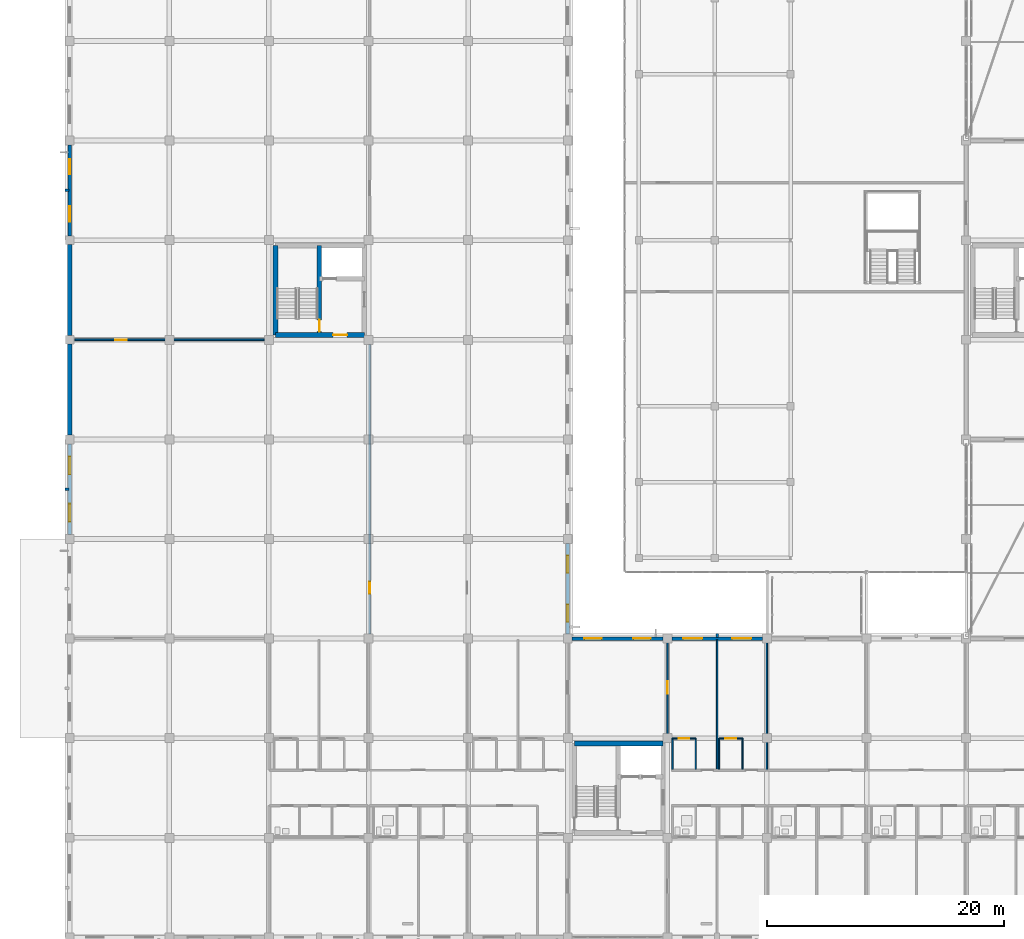
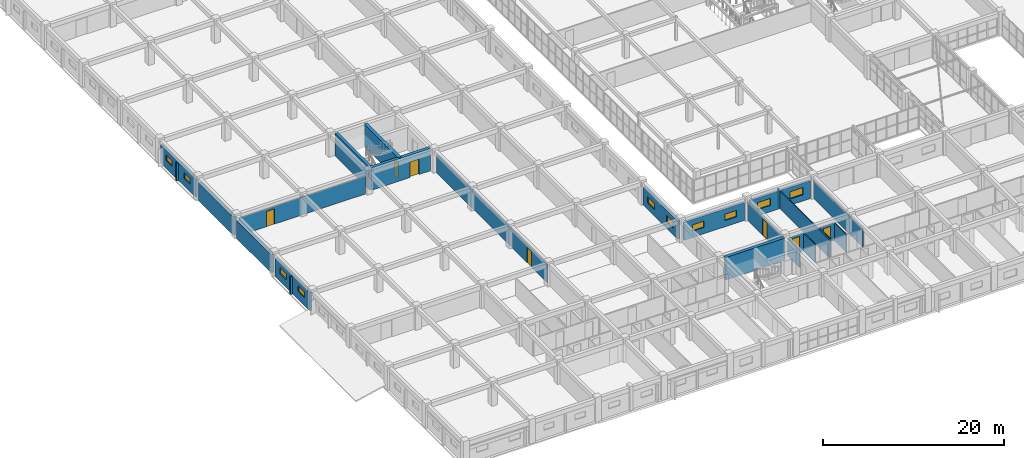
# One storey, part 165 of 200: 25 walls, 10 windows, 7 doors, 17 openings.
"""IFC4 building model written with IfcOpenShell, lengths in metres."""

import ifcopenshell
import ifcopenshell.guid

model = None  # the IFC model being written
_history = None  # IfcOwnerHistory: only IFC2X3 demands one
_inside = {}  # id of a spatial element -> (the spatial element, [elements in it])
_under = {}  # id of a project, library or spatial element -> (it, [spatial elements below it])
_declared = {}  # id of a project -> (the project, [libraries it declares])
_typed = {}  # id of a type object -> (the type object, [elements of that type])
_made_of = {}  # id of a material, layer set ... -> (it, [elements and type objects made of it])


def new_model(schema):
    """Start an empty IFC model of exactly this schema.

    Asked for "IFC4X3", IfcOpenShell would pick the latest addendum, in which some entities
    have other attributes; the version numbers below select the first issue.
    IFC2X3 requires an IfcOwnerHistory on every rooted entity: one is made here for all.
    """
    global model, _history
    if schema == "IFC4X3":
        model = ifcopenshell.file(schema_version=(4, 3, 0, 0))
    else:
        model = ifcopenshell.file(schema=schema)
    _inside.clear()
    _under.clear()
    _declared.clear()
    _typed.clear()
    _made_of.clear()
    _history = None
    if model.schema == "IFC2X3":
        org = make("IfcOrganization", Name="unknown")
        user = make(
            "IfcPersonAndOrganization",
            ThePerson=make("IfcPerson", FamilyName="unknown"),
            TheOrganization=org,
        )
        app = make(
            "IfcApplication",
            ApplicationDeveloper=org,
            Version="unknown",
            ApplicationFullName="unknown",
            ApplicationIdentifier="unknown",
        )
        _history = make(
            "IfcOwnerHistory",
            OwningUser=user,
            OwningApplication=app,
            ChangeAction="ADDED",
            CreationDate=0,
        )
    return model


def make(cls, **values):
    """One entity of the class cls with the attributes given. An attribute that is None is left unset."""
    return model.create_entity(
        cls, **{name: value for name, value in values.items() if value is not None}
    )


def rooted(cls, **values):
    """An entity with a GlobalId (a new one), such as an element, a storey or a relation."""
    return make(cls, GlobalId=ifcopenshell.guid.new(), OwnerHistory=_history, **values)


def si_unit(unit_type, name, prefix=None):
    """IfcSIUnit, for example si_unit("LENGTHUNIT", "METRE", prefix="MILLI")."""
    return make("IfcSIUnit", UnitType=unit_type, Prefix=prefix, Name=name)


def assignment(units):
    """IfcUnitAssignment: the units of a project."""
    return None if units is None else make("IfcUnitAssignment", Units=units)


def point(xyz):
    """IfcCartesianPoint."""
    return None if xyz is None else make("IfcCartesianPoint", Coordinates=xyz)


def direction(xyz):
    """IfcDirection."""
    return None if xyz is None else make("IfcDirection", DirectionRatios=xyz)


def frame(location, z_axis=None, x_axis=None):
    """IfcAxis2Placement3D, a coordinate frame: its origin and axes. An axis left out is left unset."""
    return make(
        "IfcAxis2Placement3D",
        Location=point(location),
        Axis=direction(z_axis),
        RefDirection=direction(x_axis),
    )


def frame_2d(location, x_axis=None):
    """IfcAxis2Placement2D, a coordinate frame in the plane: its origin and x axis."""
    return make(
        "IfcAxis2Placement2D", Location=point(location), RefDirection=direction(x_axis)
    )


def origin():
    """The frame at (0, 0, 0) with its axes left unset."""
    return frame((0.0, 0.0, 0.0))


def place(relative_to, where):
    """IfcLocalPlacement: puts the frame where relative to a parent placement (None: the world)."""
    return make(
        "IfcLocalPlacement", PlacementRelTo=relative_to, RelativePlacement=where
    )


def context(
    kind, dimensions, precision=None, world=None, true_north=None, identifier=None
):
    """IfcGeometricRepresentationContext, for example the 3D "Model" context."""
    return make(
        "IfcGeometricRepresentationContext",
        ContextIdentifier=identifier,
        ContextType=kind,
        CoordinateSpaceDimension=dimensions,
        Precision=precision,
        WorldCoordinateSystem=world,
        TrueNorth=true_north,
    )


def subcontext(parent, identifier, kind, view, scale=None):
    """IfcGeometricRepresentationSubContext, for example "Body" below "Model"."""
    return make(
        "IfcGeometricRepresentationSubContext",
        ContextIdentifier=identifier,
        ContextType=kind,
        ParentContext=parent,
        TargetScale=scale,
        TargetView=view,
    )


def project(units=None, contexts=None):
    """IfcProject with its units and contexts."""
    return rooted(
        "IfcProject",
        Name="project",
        RepresentationContexts=contexts,
        UnitsInContext=assignment(units),
    )


def spatial(cls, under=None, at=None, **own):
    """A site, building, storey or space (cls), placed at a placement, below another one or the project."""
    s = rooted(cls, ObjectPlacement=at, **own)
    if under is not None:
        _under.setdefault(under.id(), (under, []))[1].append(s)
    return s


def profile(cls, at=None, kind="AREA", **sizes):
    """A parametric profile (cls). Its sizes go by their IFC names, for example OverallWidth=200.0."""
    return make(cls, ProfileType=kind, Position=at, **sizes)


def rectangle(**sizes):
    """IfcRectangleProfileDef."""
    return profile("IfcRectangleProfileDef", **sizes)


def extrude(swept, where, along, depth):
    """IfcExtrudedAreaSolid: the profile swept, set in the frame where, extruded along a direction by depth."""
    return make(
        "IfcExtrudedAreaSolid",
        SweptArea=swept,
        Position=where,
        ExtrudedDirection=direction(along),
        Depth=depth,
    )


def shape(context_of_items, identifier, shape_type, items):
    """IfcShapeRepresentation: the items that make up one representation, for example the "Body"."""
    return make(
        "IfcShapeRepresentation",
        ContextOfItems=context_of_items,
        RepresentationIdentifier=identifier,
        RepresentationType=shape_type,
        Items=items,
    )


def material(Name=None, Category=None):
    """IfcMaterial."""
    return make("IfcMaterial", Name=Name, Category=Category)


def layer(
    of_material, thickness, ventilated=None, Name=None, Category=None, Priority=None
):
    """IfcMaterialLayer: one layer of a wall or slab, of a material (None: an air gap)."""
    return make(
        "IfcMaterialLayer",
        Material=of_material,
        LayerThickness=thickness,
        IsVentilated=ventilated,
        Name=Name,
        Category=Category,
        Priority=Priority,
    )


def layer_set(layers, Name=None):
    """IfcMaterialLayerSet."""
    return make("IfcMaterialLayerSet", MaterialLayers=layers, LayerSetName=Name)


def made_of(thing, what):
    """Note that an element or type object is made of a material, layer set ...; save() writes the relation."""
    if what is not None:
        _made_of.setdefault(what.id(), (what, []))[1].append(thing)
    return thing


def type_object(cls, material=None, **own):
    """A type object (cls), such as IfcWallType, which elements share."""
    return made_of(rooted(cls, **own), material)


def element(
    cls,
    number,
    at=None,
    inside=None,
    cuts=None,
    type_object=None,
    material=None,
    context=None,
    identifier="Body",
    shape_type=None,
    held_by="IfcProductDefinitionShape",
    body=None,
    shapes=None,
    **own,
):
    """One element of the class cls, such as IfcWall. Its Tag is "e" and its number.

    at: its placement. inside: the storey or other place that contains it. cuts: it is an
    opening in that element (IfcRelVoidsElement). A single representation is given by context,
    identifier, shape_type and body (its items); several are given by shapes. held_by: the class
    of the entity that holds the representations. save() writes the other relations.
    """
    e = rooted(cls, Tag="e%d" % number, ObjectPlacement=at, **own)
    if body is not None:
        shapes = [shape(context, identifier, shape_type, body)]
    if shapes is not None:
        e.Representation = make(held_by, Representations=shapes)
    if inside is not None:
        _inside.setdefault(inside.id(), (inside, []))[1].append(e)
    if cuts is not None:
        rooted(
            "IfcRelVoidsElement", RelatingBuildingElement=cuts, RelatedOpeningElement=e
        )
    if type_object is not None:
        _typed.setdefault(type_object.id(), (type_object, []))[1].append(e)
    return made_of(e, material)


def fill(opening, filler):
    """IfcRelFillsElement: the door or window that sits in an opening."""
    return rooted(
        "IfcRelFillsElement",
        RelatingOpeningElement=opening,
        RelatedBuildingElement=filler,
    )


def aggregate(whole, parts):
    """IfcRelAggregates: a whole, such as a stair, and the parts it consists of."""
    return rooted("IfcRelAggregates", RelatingObject=whole, RelatedObjects=parts)


def save(model, path):
    """Write the relations noted so far, then the file.

    IfcRelAggregates (storeys below a building ...), IfcRelContainedInSpatialStructure (elements
    in a storey), IfcRelDefinesByType, IfcRelAssociatesMaterial and IfcRelDeclares: one each for
    every whole, place, type object, material and project.
    """
    for whole, parts in _under.values():
        aggregate(whole, parts)
    for where, things in _inside.values():
        rooted(
            "IfcRelContainedInSpatialStructure",
            RelatedElements=things,
            RelatingStructure=where,
        )
    for kind, things in _typed.values():
        rooted("IfcRelDefinesByType", RelatedObjects=things, RelatingType=kind)
    for what, things in _made_of.values():
        rooted("IfcRelAssociatesMaterial", RelatedObjects=things, RelatingMaterial=what)
    for by, libraries in _declared.values():
        rooted("IfcRelDeclares", RelatingContext=by, RelatedDefinitions=libraries)
    model.write(path)


model = new_model("IFC4")

# Units and contexts
model_context = context("Model", 3, precision=1e-05, world=origin(), true_north=direction((0.0, 1.0)))
body_context = subcontext(model_context, "Body", "Model", "MODEL_VIEW")
ifc_project = project(units=[si_unit("LENGTHUNIT", "METRE"), si_unit("AREAUNIT", "SQUARE_METRE"), si_unit("VOLUMEUNIT", "CUBIC_METRE"), si_unit("PLANEANGLEUNIT", "RADIAN"), si_unit("MASSUNIT", "GRAM", prefix="KILO")], contexts=[model_context])

# Site, building, storey
site_placement = place(None, origin())
site = spatial("IfcSite", under=ifc_project, at=site_placement, CompositionType="ELEMENT")
building_placement = place(site_placement, origin())
building = spatial("IfcBuilding", under=site, at=building_placement, Name="Trelvath General Hospital", CompositionType="ELEMENT")
storey_placement = place(building_placement, frame((0.0, 0.0, 4.800048828125)))
storey = spatial("IfcBuildingStorey", under=building, at=storey_placement, Name="L01", CompositionType="ELEMENT", Elevation=4.800048828125)

# Walls
ifc_material_1 = material(Name="Precast concrete C40/50", Category="concrete")
ifc_layer_1 = layer(ifc_material_1, 0.199951171875)
ifc_layer_set_1 = layer_set([ifc_layer_1], Name="Precast concrete C40/50")
wall_type_1 = type_object("IfcWallType", Name="BriseSoleilRib 200", PredefinedType="ELEMENTEDWALL", material=ifc_layer_set_1)
for number, where, z_axis, x_axis, name in (
    (1, (-0.074951171875, 37.800048828125, 0.0), (0.0, 0.0, 1.0), (-1.0, 0.0, 0.0), "Precast Concrete Brise-Soleil Rib Fin L01-76"),
    (2, (-0.074951171875, 63.0, 0.0), (0.0, 0.0, 1.0), (-1.0, 0.0, 0.0), "Precast Concrete Brise-Soleil Rib Fin L01-77"),
    (3, (54.60009765625, 25.27490234375, 0.0), (0.0, 0.0, 1.0), (0.0, 1.0, 0.0), "Precast Concrete Brise-Soleil Rib Fin L01-100"),
):
    element("IfcWall", number, at=place(storey_placement, frame(where, z_axis=z_axis, x_axis=x_axis)), inside=storey, type_object=wall_type_1, Name=name, PredefinedType="ELEMENTEDWALL", context=body_context, shape_type="SweptSolid", body=[
        extrude(rectangle(XDim=0.340087890625, YDim=0.199951171875, at=frame_2d((0.169921875, 0.0))), origin(), (0.0, 0.0, 1.0), 2.39990234375),
    ])

# Wall, opening, door
ifc_material_2 = material(Name="Gypsum acoustic steel-stud partition", Category="steel")
ifc_layer_2 = layer(ifc_material_2, 0.14990234375)
ifc_layer_set_2 = layer_set([ifc_layer_2], Name="Gypsum acoustic steel-stud partition")
wall_type_2 = type_object("IfcWallType", Name="ClinicalPartition 150", PredefinedType="PARTITIONING", material=ifc_layer_set_2)
wall_1_placement = place(storey_placement, frame((25.300048828125, 25.60009765625, 0.0), z_axis=(0.0, 0.0, 1.0), x_axis=(0.0, 1.0, 0.0)))
wall_1 = element("IfcWall", 4, at=wall_1_placement, inside=storey, type_object=wall_type_2, Name="Interstitial Plant Partition L01-663", PredefinedType="PARTITIONING", context=body_context, shape_type="SweptSolid", body=[
    extrude(rectangle(XDim=24.39990234375, YDim=0.14990234375, at=frame_2d((12.199951171875, 0.0))), origin(), (0.0, 0.0, 1.0), 2.39990234375),
])
opening_1_placement = place(wall_1_placement, frame((3.39990234375, 0.0, 0.0)))
opening_1 = element("IfcOpeningElement", 5, at=opening_1_placement, cuts=wall_1, Name="Opening D-1-0613", PredefinedType="OPENING", context=body_context, shape_type="SweptSolid", body=[
    extrude(rectangle(XDim=0.97998046875, YDim=2.050048828125, at=frame_2d((0.489990234375, 1.02490234375))), frame((0.0, 0.0849609375, 0.0), z_axis=(0.0, -1.0, 0.0), x_axis=(1.0, 0.0, 0.0)), (0.0, 0.0, 1.0), 0.169921875),
])
ifc_material_3 = material(Name="Fire-rated steel service door", Category="steel")
door_type_1 = type_object("IfcDoorType", Name="Door Interstitial 980x2050", OperationType="NOTDEFINED", PredefinedType="DOOR", material=ifc_material_3)
door_1_placement = place(opening_1_placement, origin())
door_1 = element("IfcDoor", 6, at=door_1_placement, inside=storey, type_object=door_type_1, Name="Interstitial Plant Door L01-613", OperationType="SINGLE_SWING_LEFT", OverallHeight=2.050048828125, OverallWidth=0.97998046875, PredefinedType="DOOR", context=body_context, shape_type="SweptSolid", body=[
    extrude(rectangle(XDim=0.97998046875, YDim=2.050048828125, at=frame_2d((0.489990234375, 1.02490234375))), frame((0.0, 0.02490234375, 0.0), z_axis=(0.0, -1.0, 0.0), x_axis=(1.0, 0.0, 0.0)), (0.0, 0.0, 1.0), 0.050048828125),
])
fill(opening_1, door_1)

wall_2_placement = place(storey_placement, frame((0.419921875, 50.39990234375, 0.0), z_axis=(0.0, 0.0, 1.0), x_axis=(1.0, 0.0, 0.0)))
wall_2 = element("IfcWall", 7, at=wall_2_placement, inside=storey, type_object=wall_type_2, Name="Cleanroom AHU Partition L01-664", PredefinedType="PARTITIONING", context=body_context, shape_type="SweptSolid", body=[
    extrude(rectangle(XDim=15.9599609375, YDim=0.14990234375, at=frame_2d((7.97998046875, 0.0))), origin(), (0.0, 0.0, 1.0), 2.39990234375),
])
opening_2_placement = place(wall_2_placement, frame((3.39990234375, 0.0, 0.0)))
opening_2 = element("IfcOpeningElement", 8, at=opening_2_placement, cuts=wall_2, Name="Opening D-1-0614", PredefinedType="OPENING", context=body_context, shape_type="SweptSolid", body=[
    extrude(rectangle(XDim=0.97998046875, YDim=2.050048828125, at=frame_2d((0.489990234375, 1.02490234375))), frame((0.0, 0.0849609375, 0.0), z_axis=(0.0, -1.0, 0.0), x_axis=(1.0, 0.0, 0.0)), (0.0, 0.0, 1.0), 0.169921875),
])
door_2_placement = place(opening_2_placement, origin())
door_2 = element("IfcDoor", 9, at=door_2_placement, inside=storey, type_object=door_type_1, Name="Cleanroom AHU Door L01-614", OperationType="SINGLE_SWING_RIGHT", OverallHeight=2.050048828125, OverallWidth=0.97998046875, PredefinedType="DOOR", context=body_context, shape_type="SweptSolid", body=[
    extrude(rectangle(XDim=0.97998046875, YDim=2.050048828125, at=frame_2d((0.489990234375, 1.02490234375))), frame((0.0, 0.02490234375, 0.0), z_axis=(0.0, -1.0, 0.0), x_axis=(1.0, 0.0, 0.0)), (0.0, 0.0, 1.0), 0.050048828125),
])
fill(opening_2, door_2)

# Wall
ifc_material_4 = material(Name="Concrete C40/50", Category="concrete")
ifc_layer_3 = layer(ifc_material_4, 0.39990234375)
ifc_layer_set_3 = layer_set([ifc_layer_3], Name="Concrete C40/50")
wall_type_3 = type_object("IfcWallType", Name="CoreShearWall 400", PredefinedType="SHEAR", material=ifc_layer_set_3)
wall_3_placement = place(storey_placement, frame((42.550048828125, 16.35009765625, 0.0), z_axis=(0.0, 0.0, 1.0), x_axis=(1.0, 0.0, 0.0)))
element("IfcWall", 10, at=wall_3_placement, inside=storey, type_object=wall_type_3, Name="Core Shear Wall C4 N L01", PredefinedType="SHEAR", context=body_context, shape_type="SweptSolid", body=[
    extrude(rectangle(XDim=7.5, YDim=0.39990234375, at=frame_2d((3.75, 0.0))), origin(), (0.0, 0.0, 1.0), 3.02001953125),
])

# Wall, opening, door
wall_4_placement = place(storey_placement, frame((17.35009765625, 50.800048828125, 0.0), z_axis=(0.0, 0.0, 1.0), x_axis=(1.0, 0.0, 0.0)))
wall_4 = element("IfcWall", 11, at=wall_4_placement, inside=storey, type_object=wall_type_3, Name="Core Shear Wall C8 S L01", PredefinedType="SHEAR", context=body_context, shape_type="SweptSolid", body=[
    extrude(rectangle(XDim=7.5, YDim=0.39990234375, at=frame_2d((3.75, 0.0))), origin(), (0.0, 0.0, 1.0), 3.02001953125),
])
opening_3_placement = place(wall_4_placement, frame((4.85009765625, 0.0, 0.0)))
opening_3 = element("IfcOpeningElement", 12, at=opening_3_placement, cuts=wall_4, Name="Opening FD-LS81", PredefinedType="OPENING", context=body_context, shape_type="SweptSolid", body=[
    extrude(rectangle(XDim=1.199951171875, YDim=2.10009765625, at=frame_2d((0.60009765625, 1.050048828125))), frame((0.0, 0.2099609375, 0.0), z_axis=(0.0, -1.0, 0.0), x_axis=(1.0, 0.0, 0.0)), (0.0, 0.0, 1.0), 0.419921875),
])
ifc_material_5 = material(Name="Fire-rated steel door", Category="steel")
door_type_2 = type_object("IfcDoorType", Name="Door FireLobby 1200x2100", OperationType="NOTDEFINED", PredefinedType="DOOR", material=ifc_material_5)
door_3_placement = place(opening_3_placement, origin())
door_3 = element("IfcDoor", 13, at=door_3_placement, inside=storey, type_object=door_type_2, Name="Fire Lobby South Concourse Door C8 L01", OperationType="SINGLE_SWING_RIGHT", OverallHeight=2.10009765625, OverallWidth=1.199951171875, PredefinedType="DOOR", context=body_context, shape_type="SweptSolid", body=[
    extrude(rectangle(XDim=1.199951171875, YDim=2.10009765625, at=frame_2d((0.60009765625, 1.050048828125))), frame((0.0, 0.02490234375, 0.0), z_axis=(0.0, -1.0, 0.0), x_axis=(1.0, 0.0, 0.0)), (0.0, 0.0, 1.0), 0.050048828125),
])
fill(opening_3, door_3)

# Wall
wall_5_placement = place(storey_placement, frame((17.35009765625, 50.800048828125, 0.0), z_axis=(0.0, 0.0, 1.0), x_axis=(0.0, 1.0, 0.0)))
element("IfcWall", 14, at=wall_5_placement, inside=storey, type_object=wall_type_3, Name="Core Shear Wall C8 W L01", PredefinedType="SHEAR", context=body_context, shape_type="SweptSolid", body=[
    extrude(rectangle(XDim=7.550048828125, YDim=0.39990234375, at=frame_2d((3.77490234375, 0.0))), origin(), (0.0, 0.0, 1.0), 3.02001953125),
])

# Wall, opening, door
wall_6_placement = place(storey_placement, frame((21.050048828125, 50.800048828125, 0.0), z_axis=(0.0, 0.0, 1.0), x_axis=(0.0, 1.0, 0.0)))
wall_6 = element("IfcWall", 15, at=wall_6_placement, inside=storey, type_object=wall_type_3, Name="Core Shear Wall C8 SPINE L01", PredefinedType="SHEAR", context=body_context, shape_type="SweptSolid", body=[
    extrude(rectangle(XDim=7.550048828125, YDim=0.39990234375, at=frame_2d((3.77490234375, 0.0))), origin(), (0.0, 0.0, 1.0), 3.02001953125),
])
opening_4_placement = place(wall_6_placement, frame((0.280029296875, 0.0, 0.0)))
opening_4 = element("IfcOpeningElement", 16, at=opening_4_placement, cuts=wall_6, Name="Opening FD-S81", PredefinedType="OPENING", context=body_context, shape_type="SweptSolid", body=[
    extrude(rectangle(XDim=1.0, YDim=2.14990234375, at=frame_2d((0.5, 1.074951171875))), frame((0.0, 0.2099609375, 0.0), z_axis=(0.0, -1.0, 0.0), x_axis=(1.0, 0.0, 0.0)), (0.0, 0.0, 1.0), 0.419921875),
])
ifc_material_6 = material(Name="Fire-rated steel door", Category="steel")
door_type_3 = type_object("IfcDoorType", Name="Door FireStair 1100x2150", OperationType="NOTDEFINED", PredefinedType="DOOR", material=ifc_material_6)
door_4_placement = place(opening_4_placement, origin())
door_4 = element("IfcDoor", 17, at=door_4_placement, inside=storey, type_object=door_type_3, Name="Exit Stair Door ST8 L01", OperationType="SINGLE_SWING_LEFT", OverallHeight=2.14990234375, OverallWidth=1.0, PredefinedType="DOOR", context=body_context, shape_type="SweptSolid", body=[
    extrude(rectangle(XDim=1.0, YDim=2.14990234375, at=frame_2d((0.5, 1.074951171875))), frame((0.0, 0.02490234375, 0.0), z_axis=(0.0, -1.0, 0.0), x_axis=(1.0, 0.0, 0.0)), (0.0, 0.0, 1.0), 0.050048828125),
])
fill(opening_4, door_4)

# Walls
ifc_material_7 = material(Name="Moisture-resistant tile partition")
ifc_layer_4 = layer(ifc_material_7, 0.110107421875)
ifc_layer_set_4 = layer_set([ifc_layer_4], Name="Moisture-resistant tile partition")
wall_type_4 = type_object("IfcWallType", Name="EnSuiteWetWall 110", PredefinedType="PARTITIONING", material=ifc_layer_set_4)
for number, where, z_axis, x_axis, name in (
    (18, (50.820068359375, 14.169921875, 0.0), (0.0, 0.0, 1.0), (0.0, 1.0, 0.0), "En-Suite W Wall N L01-400"),
    (19, (52.800048828125, 14.169921875, 0.0), (0.0, 0.0, 1.0), (0.0, 1.0, 0.0), "En-Suite E Wall N L01-401"),
):
    element("IfcWall", number, at=place(storey_placement, frame(where, z_axis=z_axis, x_axis=x_axis)), inside=storey, type_object=wall_type_4, Name=name, PredefinedType="PARTITIONING", context=body_context, shape_type="SweptSolid", body=[
        extrude(rectangle(XDim=2.610107421875, YDim=0.110107421875, at=frame_2d((1.30517578125, 0.0))), origin(), (0.0, 0.0, 1.0), 2.39990234375),
    ])

# Wall, opening, door
wall_7_placement = place(storey_placement, frame((50.820068359375, 16.780029296875, 0.0), z_axis=(0.0, 0.0, 1.0), x_axis=(1.0, 0.0, 0.0)))
wall_7 = element("IfcWall", 20, at=wall_7_placement, inside=storey, type_object=wall_type_4, Name="En-Suite Bathroom N Partition L01-402", PredefinedType="PARTITIONING", context=body_context, shape_type="SweptSolid", body=[
    extrude(rectangle(XDim=1.97998046875, YDim=0.110107421875, at=frame_2d((0.989990234375, 0.0))), origin(), (0.0, 0.0, 1.0), 2.39990234375),
])
opening_5_placement = place(wall_7_placement, frame((0.5400390625, 0.0, 0.0)))
opening_5 = element("IfcOpeningElement", 21, at=opening_5_placement, cuts=wall_7, Name="Opening D-1-0487", PredefinedType="OPENING", context=body_context, shape_type="SweptSolid", body=[
    extrude(rectangle(XDim=0.89990234375, YDim=2.10009765625, at=frame_2d((0.449951171875, 1.050048828125))), frame((0.0, 0.06494140625, 0.0), z_axis=(0.0, -1.0, 0.0), x_axis=(1.0, 0.0, 0.0)), (0.0, 0.0, 1.0), 0.130126953125),
])
ifc_material_8 = material(Name="Moisture-sealed timber leaf", Category="wood")
door_type_4 = type_object("IfcDoorType", Name="Door EnSuite 900x2100", OperationType="NOTDEFINED", PredefinedType="DOOR", material=ifc_material_8)
door_5_placement = place(opening_5_placement, origin())
door_5 = element("IfcDoor", 22, at=door_5_placement, inside=storey, type_object=door_type_4, Name="En-Suite Bathroom N Door L01-487", OperationType="SINGLE_SWING_LEFT", OverallHeight=2.10009765625, OverallWidth=0.89990234375, PredefinedType="DOOR", context=body_context, shape_type="SweptSolid", body=[
    extrude(rectangle(XDim=0.89990234375, YDim=2.10009765625, at=frame_2d((0.449951171875, 1.050048828125))), frame((0.0, 0.02490234375, 0.0), z_axis=(0.0, -1.0, 0.0), x_axis=(1.0, 0.0, 0.0)), (0.0, 0.0, 1.0), 0.050048828125),
])
fill(opening_5, door_5)

# Walls
for number, where, z_axis, x_axis, name in (
    (23, (54.760009765625, 14.169921875, 0.0), (0.0, 0.0, 1.0), (0.0, 1.0, 0.0), "En-Suite W Wall N L01-403"),
    (24, (56.739990234375, 14.169921875, 0.0), (0.0, 0.0, 1.0), (0.0, 1.0, 0.0), "En-Suite E Wall N L01-404"),
):
    element("IfcWall", number, at=place(storey_placement, frame(where, z_axis=z_axis, x_axis=x_axis)), inside=storey, type_object=wall_type_4, Name=name, PredefinedType="PARTITIONING", context=body_context, shape_type="SweptSolid", body=[
        extrude(rectangle(XDim=2.610107421875, YDim=0.110107421875, at=frame_2d((1.30517578125, 0.0))), origin(), (0.0, 0.0, 1.0), 2.39990234375),
    ])

# Wall, opening, door
wall_8_placement = place(storey_placement, frame((54.760009765625, 16.780029296875, 0.0), z_axis=(0.0, 0.0, 1.0), x_axis=(1.0, 0.0, 0.0)))
wall_8 = element("IfcWall", 25, at=wall_8_placement, inside=storey, type_object=wall_type_4, Name="En-Suite Bathroom N Partition L01-405", PredefinedType="PARTITIONING", context=body_context, shape_type="SweptSolid", body=[
    extrude(rectangle(XDim=1.97998046875, YDim=0.110107421875, at=frame_2d((0.989990234375, 0.0))), origin(), (0.0, 0.0, 1.0), 2.39990234375),
])
opening_6_placement = place(wall_8_placement, frame((0.5400390625, 0.0, 0.0)))
opening_6 = element("IfcOpeningElement", 26, at=opening_6_placement, cuts=wall_8, Name="Opening D-1-0488", PredefinedType="OPENING", context=body_context, shape_type="SweptSolid", body=[
    extrude(rectangle(XDim=0.89990234375, YDim=2.10009765625, at=frame_2d((0.449951171875, 1.050048828125))), frame((0.0, 0.06494140625, 0.0), z_axis=(0.0, -1.0, 0.0), x_axis=(1.0, 0.0, 0.0)), (0.0, 0.0, 1.0), 0.130126953125),
])
door_6_placement = place(opening_6_placement, origin())
door_6 = element("IfcDoor", 27, at=door_6_placement, inside=storey, type_object=door_type_4, Name="En-Suite Bathroom N Door L01-488", OperationType="SINGLE_SWING_RIGHT", OverallHeight=2.10009765625, OverallWidth=0.89990234375, PredefinedType="DOOR", context=body_context, shape_type="SweptSolid", body=[
    extrude(rectangle(XDim=0.89990234375, YDim=2.10009765625, at=frame_2d((0.449951171875, 1.050048828125))), frame((0.0, 0.02490234375, 0.0), z_axis=(0.0, -1.0, 0.0), x_axis=(1.0, 0.0, 0.0)), (0.0, 0.0, 1.0), 0.050048828125),
])
fill(opening_6, door_6)

# Wall, openings, windows
ifc_material_9 = material(Name="Concrete C35/45", Category="concrete")
ifc_layer_5 = layer(ifc_material_9, 0.2900390625)
ifc_layer_set_5 = layer_set([ifc_layer_5], Name="Concrete C35/45")
wall_type_5 = type_object("IfcWallType", Name="ExtBushHammeredWall 290", PredefinedType="SOLIDWALL", material=ifc_layer_set_5)
wall_9_placement = place(storey_placement, frame((0.0, 33.969970703125, 0.0), z_axis=(0.0, 0.0, 1.0), x_axis=(0.0, 1.0, 0.0)))
wall_9 = element("IfcWall", 28, at=wall_9_placement, inside=storey, type_object=wall_type_5, Name="Exterior Concrete Wall L01-113", PredefinedType="SOLIDWALL", context=body_context, shape_type="SweptSolid", body=[
    extrude(rectangle(XDim=7.659912109375, YDim=0.2900390625, at=frame_2d((3.830078125, 0.0))), origin(), (0.0, 0.0, 1.0), 2.419921875),
])
opening_7_placement = place(wall_9_placement, frame((1.08837890625, 0.0, 1.050048828125)))
opening_7 = element("IfcOpeningElement", 29, at=opening_7_placement, cuts=wall_9, Name="Opening WN-1-159", PredefinedType="OPENING", context=body_context, shape_type="SweptSolid", body=[
    extrude(rectangle(XDim=1.5, YDim=0.75, at=frame_2d((0.75, 0.375))), frame((0.0, 0.155029296875, 0.0), z_axis=(0.0, -1.0, 0.0), x_axis=(1.0, 0.0, 0.0)), (0.0, 0.0, 1.0), 0.31005859375),
])
opening_8_placement = place(wall_9_placement, frame((5.071533203125, 0.0, 1.050048828125)))
opening_8 = element("IfcOpeningElement", 30, at=opening_8_placement, cuts=wall_9, Name="Opening WN-1-160", PredefinedType="OPENING", context=body_context, shape_type="SweptSolid", body=[
    extrude(rectangle(XDim=1.5, YDim=0.75, at=frame_2d((0.75, 0.375))), frame((0.0, 0.155029296875, 0.0), z_axis=(0.0, -1.0, 0.0), x_axis=(1.0, 0.0, 0.0)), (0.0, 0.0, 1.0), 0.31005859375),
])
ifc_material_10 = material(Name="Low-E laminated glass", Category="glass")
window_type_1 = type_object("IfcWindowType", Name="Window InterstitialVent 1500x750", PartitioningType="DOUBLE_PANEL_HORIZONTAL", PredefinedType="WINDOW", material=ifc_material_10)
window_1_placement = place(opening_7_placement, origin())
window_1 = element("IfcWindow", 31, at=window_1_placement, inside=storey, type_object=window_type_1, Name="Solar Reveal Window L01-159", OverallHeight=0.75, OverallWidth=1.5, PartitioningType="SINGLE_PANEL", PredefinedType="WINDOW", context=body_context, shape_type="SweptSolid", body=[
    extrude(rectangle(XDim=1.5, YDim=0.75, at=frame_2d((0.75, 0.375))), frame((0.0, 0.030029296875, 0.0), z_axis=(0.0, -1.0, 0.0), x_axis=(1.0, 0.0, 0.0)), (0.0, 0.0, 1.0), 0.06005859375),
])
fill(opening_7, window_1)
window_2_placement = place(opening_8_placement, origin())
window_2 = element("IfcWindow", 32, at=window_2_placement, inside=storey, type_object=window_type_1, Name="Solar Reveal Window L01-160", OverallHeight=0.75, OverallWidth=1.5, PartitioningType="SINGLE_PANEL", PredefinedType="WINDOW", context=body_context, shape_type="SweptSolid", body=[
    extrude(rectangle(XDim=1.5, YDim=0.75, at=frame_2d((0.75, 0.375))), frame((0.0, 0.030029296875, 0.0), z_axis=(0.0, -1.0, 0.0), x_axis=(1.0, 0.0, 0.0)), (0.0, 0.0, 1.0), 0.06005859375),
])
fill(opening_8, window_2)

wall_10_placement = place(storey_placement, frame((0.0, 59.169921875, 0.0), z_axis=(0.0, 0.0, 1.0), x_axis=(0.0, 1.0, 0.0)))
wall_10 = element("IfcWall", 33, at=wall_10_placement, inside=storey, type_object=wall_type_5, Name="Exterior Concrete Wall L01-116", PredefinedType="SOLIDWALL", context=body_context, shape_type="SweptSolid", body=[
    extrude(rectangle(XDim=7.66015625, YDim=0.2900390625, at=frame_2d((3.830078125, 0.0))), origin(), (0.0, 0.0, 1.0), 2.419921875),
])
opening_9_placement = place(wall_10_placement, frame((1.1884765625, 0.0, 1.050048828125)))
opening_9 = element("IfcOpeningElement", 34, at=opening_9_placement, cuts=wall_10, Name="Opening WN-1-161", PredefinedType="OPENING", context=body_context, shape_type="SweptSolid", body=[
    extrude(rectangle(XDim=1.300048828125, YDim=0.75, at=frame_2d((0.64990234375, 0.375))), frame((0.0, 0.155029296875, 0.0), z_axis=(0.0, -1.0, 0.0), x_axis=(1.0, 0.0, 0.0)), (0.0, 0.0, 1.0), 0.31005859375),
])
opening_10_placement = place(wall_10_placement, frame((5.171630859375, 0.0, 1.050048828125)))
opening_10 = element("IfcOpeningElement", 35, at=opening_10_placement, cuts=wall_10, Name="Opening WN-1-162", PredefinedType="OPENING", context=body_context, shape_type="SweptSolid", body=[
    extrude(rectangle(XDim=1.300048828125, YDim=0.75, at=frame_2d((0.64990234375, 0.375))), frame((0.0, 0.155029296875, 0.0), z_axis=(0.0, -1.0, 0.0), x_axis=(1.0, 0.0, 0.0)), (0.0, 0.0, 1.0), 0.31005859375),
])
ifc_material_11 = material(Name="Low-E laminated glass", Category="glass")
window_type_2 = type_object("IfcWindowType", Name="Window InterstitialVent 1300x750", PartitioningType="DOUBLE_PANEL_HORIZONTAL", PredefinedType="WINDOW", material=ifc_material_11)
window_3_placement = place(opening_9_placement, origin())
window_3 = element("IfcWindow", 36, at=window_3_placement, inside=storey, type_object=window_type_2, Name="Solar Reveal Window L01-161", OverallHeight=0.75, OverallWidth=1.300048828125, PartitioningType="SINGLE_PANEL", PredefinedType="WINDOW", context=body_context, shape_type="SweptSolid", body=[
    extrude(rectangle(XDim=1.300048828125, YDim=0.75, at=frame_2d((0.64990234375, 0.375))), frame((0.0, 0.030029296875, 0.0), z_axis=(0.0, -1.0, 0.0), x_axis=(1.0, 0.0, 0.0)), (0.0, 0.0, 1.0), 0.06005859375),
])
fill(opening_9, window_3)
window_4_placement = place(opening_10_placement, origin())
window_4 = element("IfcWindow", 37, at=window_4_placement, inside=storey, type_object=window_type_2, Name="Solar Reveal Window L01-162", OverallHeight=0.75, OverallWidth=1.300048828125, PartitioningType="SINGLE_PANEL", PredefinedType="WINDOW", context=body_context, shape_type="SweptSolid", body=[
    extrude(rectangle(XDim=1.300048828125, YDim=0.75, at=frame_2d((0.64990234375, 0.375))), frame((0.0, 0.030029296875, 0.0), z_axis=(0.0, -1.0, 0.0), x_axis=(1.0, 0.0, 0.0)), (0.0, 0.0, 1.0), 0.06005859375),
])
fill(opening_10, window_4)

wall_11_placement = place(storey_placement, frame((42.0, 33.22998046875, 0.0), z_axis=(0.0, 0.0, 1.0), x_axis=(0.0, -1.0, 0.0)))
wall_11 = element("IfcWall", 38, at=wall_11_placement, inside=storey, type_object=wall_type_5, Name="Exterior Concrete Wall L01-131", PredefinedType="SOLIDWALL", context=body_context, shape_type="SweptSolid", body=[
    extrude(rectangle(XDim=7.659912109375, YDim=0.2900390625, at=frame_2d((3.830078125, 0.0))), origin(), (0.0, 0.0, 1.0), 2.419921875),
])
opening_11_placement = place(wall_11_placement, frame((1.03173828125, 0.0, 0.85009765625)))
opening_11 = element("IfcOpeningElement", 39, at=opening_11_placement, cuts=wall_11, Name="Opening WN-1-191", PredefinedType="OPENING", context=body_context, shape_type="SweptSolid", body=[
    extrude(rectangle(XDim=1.4599609375, YDim=0.85009765625, at=frame_2d((0.72998046875, 0.425048828125))), frame((0.0, 0.155029296875, 0.0), z_axis=(0.0, -1.0, 0.0), x_axis=(1.0, 0.0, 0.0)), (0.0, 0.0, 1.0), 0.31005859375),
])
opening_12_placement = place(wall_11_placement, frame((5.168212890625, 0.0, 0.85009765625)))
opening_12 = element("IfcOpeningElement", 40, at=opening_12_placement, cuts=wall_11, Name="Opening WN-1-192", PredefinedType="OPENING", context=body_context, shape_type="SweptSolid", body=[
    extrude(rectangle(XDim=1.4599609375, YDim=0.85009765625, at=frame_2d((0.72998046875, 0.425048828125))), frame((0.0, 0.155029296875, 0.0), z_axis=(0.0, -1.0, 0.0), x_axis=(1.0, 0.0, 0.0)), (0.0, 0.0, 1.0), 0.31005859375),
])
ifc_material_12 = material(Name="Low-E laminated glass", Category="glass")
window_type_3 = type_object("IfcWindowType", Name="Window ImagingClere 1460x850", PartitioningType="DOUBLE_PANEL_VERTICAL", PredefinedType="WINDOW", material=ifc_material_12)
window_5_placement = place(opening_11_placement, origin())
window_5 = element("IfcWindow", 41, at=window_5_placement, inside=storey, type_object=window_type_3, Name="Solar Reveal Window L01-191", OverallHeight=0.85009765625, OverallWidth=1.4599609375, PartitioningType="SINGLE_PANEL", PredefinedType="WINDOW", context=body_context, shape_type="SweptSolid", body=[
    extrude(rectangle(XDim=1.4599609375, YDim=0.85009765625, at=frame_2d((0.72998046875, 0.425048828125))), frame((0.0, 0.030029296875, 0.0), z_axis=(0.0, -1.0, 0.0), x_axis=(1.0, 0.0, 0.0)), (0.0, 0.0, 1.0), 0.06005859375),
])
fill(opening_11, window_5)
window_6_placement = place(opening_12_placement, origin())
window_6 = element("IfcWindow", 42, at=window_6_placement, inside=storey, type_object=window_type_3, Name="Solar Reveal Window L01-192", OverallHeight=0.85009765625, OverallWidth=1.4599609375, PartitioningType="SINGLE_PANEL", PredefinedType="WINDOW", context=body_context, shape_type="SweptSolid", body=[
    extrude(rectangle(XDim=1.4599609375, YDim=0.85009765625, at=frame_2d((0.72998046875, 0.425048828125))), frame((0.0, 0.030029296875, 0.0), z_axis=(0.0, -1.0, 0.0), x_axis=(1.0, 0.0, 0.0)), (0.0, 0.0, 1.0), 0.06005859375),
])
fill(opening_12, window_6)

wall_12_placement = place(storey_placement, frame((42.3701171875, 25.199951171875, 0.0), z_axis=(0.0, 0.0, 1.0), x_axis=(1.0, 0.0, 0.0)))
wall_12 = element("IfcWall", 43, at=wall_12_placement, inside=storey, type_object=wall_type_5, Name="Exterior Concrete Wall L01-140", PredefinedType="SOLIDWALL", context=body_context, shape_type="SweptSolid", body=[
    extrude(rectangle(XDim=7.659912109375, YDim=0.2900390625, at=frame_2d((3.830078125, 0.0))), origin(), (0.0, 0.0, 1.0), 2.419921875),
])
opening_13_placement = place(wall_12_placement, frame((1.03173828125, 0.0, 0.85009765625)))
opening_13 = element("IfcOpeningElement", 44, at=opening_13_placement, cuts=wall_12, Name="Opening WN-1-209", PredefinedType="OPENING", context=body_context, shape_type="SweptSolid", body=[
    extrude(rectangle(XDim=1.4599609375, YDim=0.85009765625, at=frame_2d((0.72998046875, 0.425048828125))), frame((0.0, 0.155029296875, 0.0), z_axis=(0.0, -1.0, 0.0), x_axis=(1.0, 0.0, 0.0)), (0.0, 0.0, 1.0), 0.31005859375),
])
opening_14_placement = place(wall_12_placement, frame((5.168212890625, 0.0, 0.85009765625)))
opening_14 = element("IfcOpeningElement", 45, at=opening_14_placement, cuts=wall_12, Name="Opening WN-1-210", PredefinedType="OPENING", context=body_context, shape_type="SweptSolid", body=[
    extrude(rectangle(XDim=1.4599609375, YDim=0.85009765625, at=frame_2d((0.72998046875, 0.425048828125))), frame((0.0, 0.155029296875, 0.0), z_axis=(0.0, -1.0, 0.0), x_axis=(1.0, 0.0, 0.0)), (0.0, 0.0, 1.0), 0.31005859375),
])
window_7_placement = place(opening_13_placement, origin())
window_7 = element("IfcWindow", 46, at=window_7_placement, inside=storey, type_object=window_type_3, Name="Solar Reveal Window L01-209", OverallHeight=0.85009765625, OverallWidth=1.4599609375, PartitioningType="SINGLE_PANEL", PredefinedType="WINDOW", context=body_context, shape_type="SweptSolid", body=[
    extrude(rectangle(XDim=1.4599609375, YDim=0.85009765625, at=frame_2d((0.72998046875, 0.425048828125))), frame((0.0, 0.030029296875, 0.0), z_axis=(0.0, -1.0, 0.0), x_axis=(1.0, 0.0, 0.0)), (0.0, 0.0, 1.0), 0.06005859375),
])
fill(opening_13, window_7)
window_8_placement = place(opening_14_placement, origin())
window_8 = element("IfcWindow", 47, at=window_8_placement, inside=storey, type_object=window_type_3, Name="Solar Reveal Window L01-210", OverallHeight=0.85009765625, OverallWidth=1.4599609375, PartitioningType="SINGLE_PANEL", PredefinedType="WINDOW", context=body_context, shape_type="SweptSolid", body=[
    extrude(rectangle(XDim=1.4599609375, YDim=0.85009765625, at=frame_2d((0.72998046875, 0.425048828125))), frame((0.0, 0.030029296875, 0.0), z_axis=(0.0, -1.0, 0.0), x_axis=(1.0, 0.0, 0.0)), (0.0, 0.0, 1.0), 0.06005859375),
])
fill(opening_14, window_8)

wall_13_placement = place(storey_placement, frame((50.77001953125, 25.199951171875, 0.0), z_axis=(0.0, 0.0, 1.0), x_axis=(1.0, 0.0, 0.0)))
wall_13 = element("IfcWall", 48, at=wall_13_placement, inside=storey, type_object=wall_type_5, Name="Exterior Concrete Wall L01-143", PredefinedType="SOLIDWALL", context=body_context, shape_type="SweptSolid", body=[
    extrude(rectangle(XDim=7.659912109375, YDim=0.2900390625, at=frame_2d((3.830078125, 0.0))), origin(), (0.0, 0.0, 1.0), 2.419921875),
])
opening_15_placement = place(wall_13_placement, frame((0.951904296875, 0.0, 0.85009765625)))
opening_15 = element("IfcOpeningElement", 49, at=opening_15_placement, cuts=wall_13, Name="Opening WN-1-215", PredefinedType="OPENING", context=body_context, shape_type="SweptSolid", body=[
    extrude(rectangle(XDim=1.6201171875, YDim=0.949951171875, at=frame_2d((0.81005859375, 0.47509765625))), frame((0.0, 0.155029296875, 0.0), z_axis=(0.0, -1.0, 0.0), x_axis=(1.0, 0.0, 0.0)), (0.0, 0.0, 1.0), 0.31005859375),
])
opening_16_placement = place(wall_13_placement, frame((5.088134765625, 0.0, 0.85009765625)))
opening_16 = element("IfcOpeningElement", 50, at=opening_16_placement, cuts=wall_13, Name="Opening WN-1-216", PredefinedType="OPENING", context=body_context, shape_type="SweptSolid", body=[
    extrude(rectangle(XDim=1.6201171875, YDim=0.949951171875, at=frame_2d((0.81005859375, 0.47509765625))), frame((0.0, 0.155029296875, 0.0), z_axis=(0.0, -1.0, 0.0), x_axis=(1.0, 0.0, 0.0)), (0.0, 0.0, 1.0), 0.31005859375),
])
ifc_material_13 = material(Name="Low-E laminated glass", Category="glass")
window_type_4 = type_object("IfcWindowType", Name="Window EmergencyClere 1620x950", PartitioningType="DOUBLE_PANEL_VERTICAL", PredefinedType="WINDOW", material=ifc_material_13)
window_9_placement = place(opening_15_placement, origin())
window_9 = element("IfcWindow", 51, at=window_9_placement, inside=storey, type_object=window_type_4, Name="Solar Reveal Window L01-215", OverallHeight=0.949951171875, OverallWidth=1.6201171875, PartitioningType="SINGLE_PANEL", PredefinedType="WINDOW", context=body_context, shape_type="SweptSolid", body=[
    extrude(rectangle(XDim=1.6201171875, YDim=0.949951171875, at=frame_2d((0.81005859375, 0.47509765625))), frame((0.0, 0.030029296875, 0.0), z_axis=(0.0, -1.0, 0.0), x_axis=(1.0, 0.0, 0.0)), (0.0, 0.0, 1.0), 0.06005859375),
])
fill(opening_15, window_9)
window_10_placement = place(opening_16_placement, origin())
window_10 = element("IfcWindow", 52, at=window_10_placement, inside=storey, type_object=window_type_4, Name="Solar Reveal Window L01-216", OverallHeight=0.949951171875, OverallWidth=1.6201171875, PartitioningType="SINGLE_PANEL", PredefinedType="WINDOW", context=body_context, shape_type="SweptSolid", body=[
    extrude(rectangle(XDim=1.6201171875, YDim=0.949951171875, at=frame_2d((0.81005859375, 0.47509765625))), frame((0.0, 0.030029296875, 0.0), z_axis=(0.0, -1.0, 0.0), x_axis=(1.0, 0.0, 0.0)), (0.0, 0.0, 1.0), 0.06005859375),
])
fill(opening_16, window_10)

# Walls
ifc_material_14 = material(Name="Concrete C35/45", Category="concrete")
ifc_layer_6 = layer(ifc_material_14, 0.3798828125)
ifc_layer_set_6 = layer_set([ifc_layer_6], Name="Concrete C35/45")
wall_type_6 = type_object("IfcWallType", Name="PartyWall Concrete380", PredefinedType="SOLIDWALL", material=ifc_layer_set_6)
for number, where, z_axis, x_axis, name in (
    (53, (0.0, 42.3701171875, 0.0), (0.0, 0.0, 1.0), (0.0, 1.0, 0.0), "West Party Concrete Wall L01-114"),
    (54, (0.0, 50.77001953125, 0.0), (0.0, 0.0, 1.0), (0.0, 1.0, 0.0), "West Party Concrete Wall L01-115"),
):
    element("IfcWall", number, at=place(storey_placement, frame(where, z_axis=z_axis, x_axis=x_axis)), inside=storey, type_object=wall_type_6, Name=name, PredefinedType="SOLIDWALL", context=body_context, shape_type="SweptSolid", body=[
        extrude(rectangle(XDim=7.659912109375, YDim=0.3798828125, at=frame_2d((3.830078125, 0.0))), origin(), (0.0, 0.0, 1.0), 2.419921875),
    ])

# Wall, opening, door
ifc_material_15 = material(Name="Gypsum acoustic steel-stud partition", Category="steel")
ifc_layer_7 = layer(ifc_material_15, 0.1298828125)
ifc_layer_set_7 = layer_set([ifc_layer_7], Name="Gypsum acoustic steel-stud partition")
wall_type_7 = type_object("IfcWallType", Name="WardPartition 130", PredefinedType="PARTITIONING", material=ifc_layer_set_7)
wall_14_placement = place(storey_placement, frame((50.39990234375, 17.14990234375, 0.0), z_axis=(0.0, 0.0, 1.0), x_axis=(0.0, 1.0, 0.0)))
wall_14 = element("IfcWall", 55, at=wall_14_placement, inside=storey, type_object=wall_type_7, Name="Inter-Bay Ward Partition N L01-388", PredefinedType="PARTITIONING", context=body_context, shape_type="SweptSolid", body=[
    extrude(rectangle(XDim=7.91015625, YDim=0.1298828125, at=frame_2d((3.955078125, 0.0))), origin(), (0.0, 0.0, 1.0), 2.39990234375),
])
opening_17_placement = place(wall_14_placement, frame((3.39990234375, 0.0, 0.0)))
opening_17 = element("IfcOpeningElement", 56, at=opening_17_placement, cuts=wall_14, Name="Opening D-1-0480", PredefinedType="OPENING", context=body_context, shape_type="SweptSolid", body=[
    extrude(rectangle(XDim=1.050048828125, YDim=2.199951171875, at=frame_2d((0.52490234375, 1.10009765625))), frame((0.0, 0.074951171875, 0.0), z_axis=(0.0, -1.0, 0.0), x_axis=(1.0, 0.0, 0.0)), (0.0, 0.0, 1.0), 0.14990234375),
])
ifc_material_16 = material(Name="Acoustic hospital timber leaf", Category="wood")
door_type_5 = type_object("IfcDoorType", Name="Door Consult 1050x2200", OperationType="NOTDEFINED", PredefinedType="DOOR", material=ifc_material_16)
door_7_placement = place(opening_17_placement, origin())
door_7 = element("IfcDoor", 57, at=door_7_placement, inside=storey, type_object=door_type_5, Name="Consultation Connecting Door L01-480", OperationType="SINGLE_SWING_LEFT", OverallHeight=2.199951171875, OverallWidth=1.050048828125, PredefinedType="DOOR", context=body_context, shape_type="SweptSolid", body=[
    extrude(rectangle(XDim=1.050048828125, YDim=2.199951171875, at=frame_2d((0.52490234375, 1.10009765625))), frame((0.0, 0.02490234375, 0.0), z_axis=(0.0, -1.0, 0.0), x_axis=(1.0, 0.0, 0.0)), (0.0, 0.0, 1.0), 0.050048828125),
])
fill(opening_17, door_7)

# Walls
wall_15_placement = place(storey_placement, frame((54.60009765625, 14.169921875, 0.0), z_axis=(0.0, 0.0, 1.0), x_axis=(0.0, 1.0, 0.0)))
element("IfcWall", 58, at=wall_15_placement, inside=storey, type_object=wall_type_7, Name="Room Dividing Partition N L01-399", PredefinedType="PARTITIONING", context=body_context, shape_type="SweptSolid", body=[
    extrude(rectangle(XDim=10.93017578125, YDim=0.1298828125, at=frame_2d((5.465087890625, 0.0))), origin(), (0.0, 0.0, 1.0), 2.39990234375),
])
wall_16_placement = place(storey_placement, frame((58.800048828125, 14.1201171875, 0.0), z_axis=(0.0, 0.0, 1.0), x_axis=(0.0, 1.0, 0.0)))
element("IfcWall", 59, at=wall_16_placement, inside=storey, type_object=wall_type_7, Name="Inter-Bay Ward Partition N L01-407", PredefinedType="PARTITIONING", context=body_context, shape_type="SweptSolid", body=[
    extrude(rectangle(XDim=10.93994140625, YDim=0.1298828125, at=frame_2d((5.469970703125, 0.0))), origin(), (0.0, 0.0, 1.0), 2.39990234375),
])

save(model, "model.ifc")
